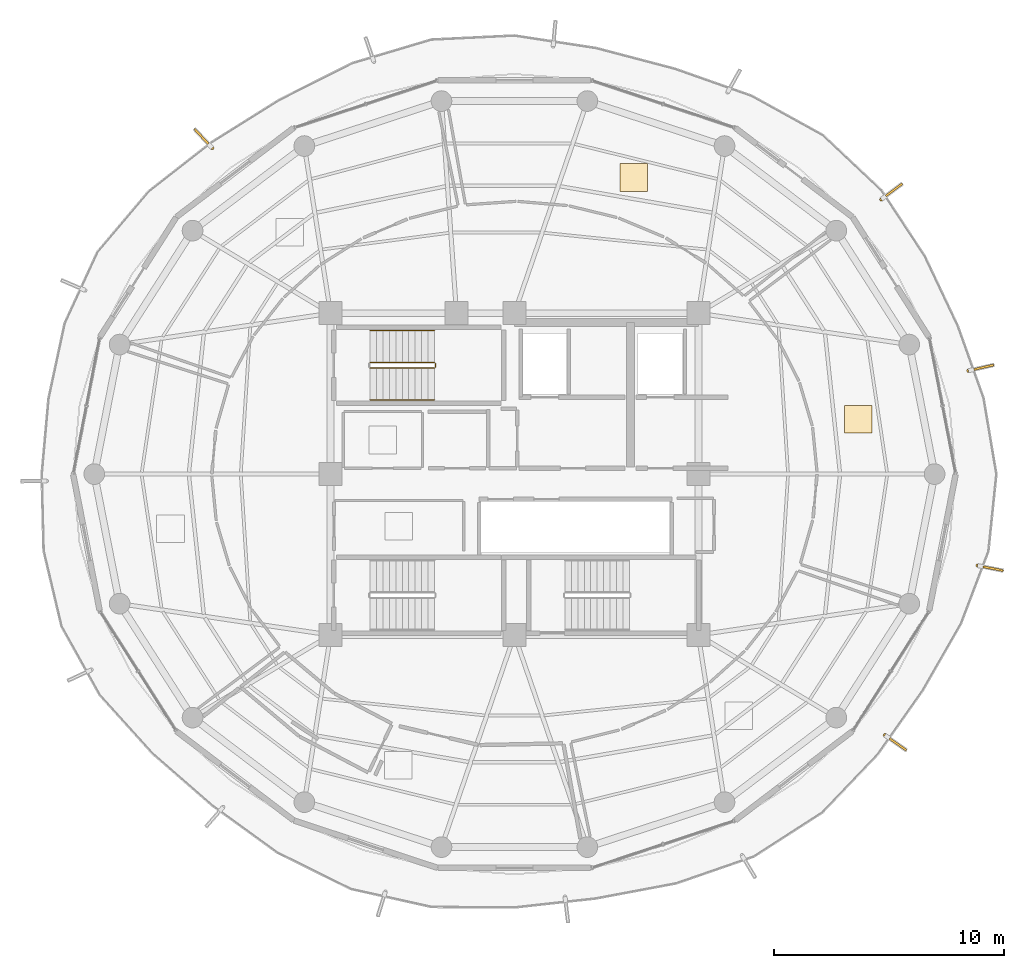
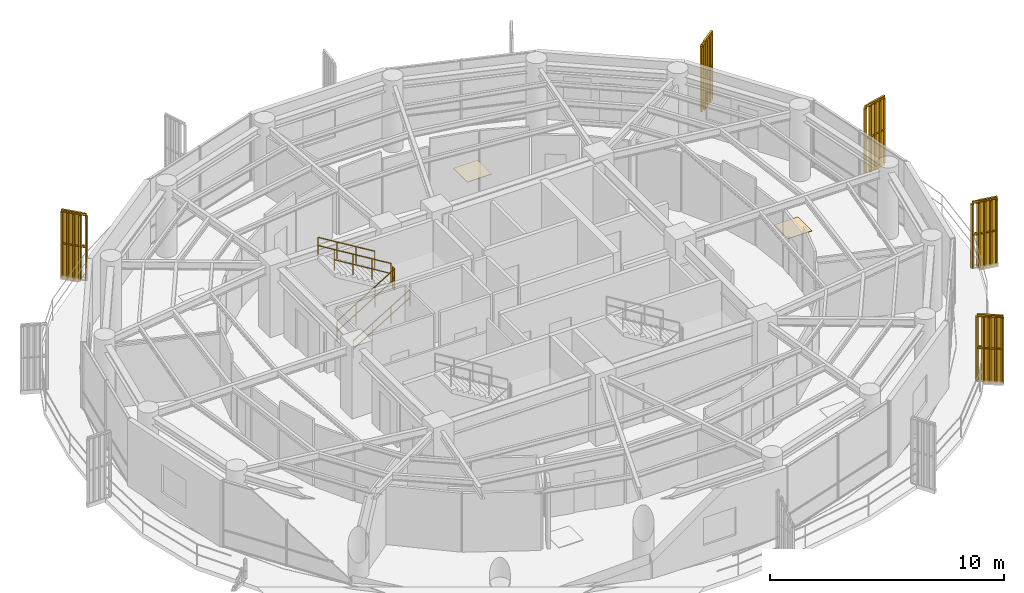
# One storey, part 22 of 23: 10 railings, 5 shading devices, 2 coverings.
"""IFC4 building model written with IfcOpenShell, lengths in metres."""

from ifc_helpers import new_model, si_unit, direction, frame, origin, origin_2d, place, context, subcontext, project, spatial, polyline, rectangle, outline, extrude, source, transform, mapped, material, layer, layer_set, type_object, element, save


model = new_model("IFC4")

# Units and contexts
model_context = context("Model", 3, precision=1e-05, world=origin(), true_north=direction((0.0, 1.0)))
body_context = subcontext(model_context, "Body", "Model", "MODEL_VIEW")
ifc_project = project(units=[si_unit("LENGTHUNIT", "METRE"), si_unit("AREAUNIT", "SQUARE_METRE"), si_unit("VOLUMEUNIT", "CUBIC_METRE"), si_unit("PLANEANGLEUNIT", "RADIAN"), si_unit("MASSUNIT", "GRAM", prefix="KILO")], contexts=[model_context])

# Site, building, storey
site_placement = place(None, origin())
site = spatial("IfcSite", under=ifc_project, at=site_placement, CompositionType="ELEMENT")
building_placement = place(site_placement, origin())
building = spatial("IfcBuilding", under=site, at=building_placement, Name="Kelanora Arch Commons", CompositionType="ELEMENT")
storey_placement = place(building_placement, frame((0.0, 0.0, 282.449951171875)))
storey = spatial("IfcBuildingStorey", under=building, at=storey_placement, Name="L72", CompositionType="ELEMENT", Elevation=282.449951171875)

# Railings
ifc_material_1 = material(Name="Anodised bronze vertical shading fin rib assembly")
railing_type_1 = type_object("IfcRailingType", Name="RAIL-FIN-BRZ", PredefinedType="BALUSTRADE", material=ifc_material_1)
railing_1_placement = place(storey_placement, frame((94.14794921875, 54.02001953125, -0.02001953125)))
element("IfcRailing", 1, at=railing_1_placement, inside=storey, type_object=railing_type_1, Name="Sweeping Bronze Vertical Fin Blade L72-00", PredefinedType="BALUSTRADE", context=body_context, shape_type="SweptSolid", body=[
    extrude(outline(polyline([(0.06982421875, 0.0), (0.034912109375, 0.060546875), (-0.034912109375, 0.060546875), (-0.06982421875, 0.0), (-0.034912109375, -0.060546875), (0.034912109375, -0.060546875), (0.06982421875, 0.0)])), frame((0.0, 0.0, 3.419921875), z_axis=(0.981050560223, -0.193751898796, 0.0), x_axis=(0.193751898796, 0.981050560223, 0.0)), (0.0, 0.0, 1.0), 1.092529296875),
    extrude(outline(polyline([(0.06982421875, 0.0), (0.034912109375, 0.060546875), (-0.034912109375, 0.060546875), (-0.06982421875, 0.0), (-0.034912109375, -0.060546875), (0.034912109375, -0.060546875), (0.06982421875, 0.0)])), frame((0.0, 0.0, 1.7451171875), z_axis=(0.981050560223, -0.193751898796, 0.0), x_axis=(0.193751898796, 0.981050560223, 0.0)), (0.0, 0.0, 1.0), 1.092529296875),
    extrude(outline(polyline([(0.080078125, 0.0), (0.0400390625, 0.0693359375), (-0.0400390625, 0.0693359375), (-0.080078125, 0.0), (-0.0400390625, -0.0693359375), (0.0400390625, -0.0693359375), (0.080078125, 0.0)])), origin(), (0.0, 0.0, 1.0), 3.35009765625),
    extrude(outline(polyline([(0.080078125, 0.0), (0.0400390625, 0.0693359375), (-0.0400390625, 0.0693359375), (-0.080078125, 0.0), (-0.0400390625, -0.0693359375), (0.0400390625, -0.0693359375), (0.080078125, 0.0)])), frame((0.26806640625, -0.052978515625, 0.0)), (0.0, 0.0, 1.0), 3.35009765625),
    extrude(outline(polyline([(0.080078125, 0.0), (0.0400390625, 0.0693359375), (-0.0400390625, 0.0693359375), (-0.080078125, 0.0), (-0.0400390625, -0.0693359375), (0.0400390625, -0.0693359375), (0.080078125, 0.0)])), frame((0.535888671875, -0.10595703125, 0.0)), (0.0, 0.0, 1.0), 3.35009765625),
    extrude(outline(polyline([(0.080078125, 0.0), (0.0400390625, 0.0693359375), (-0.0400390625, 0.0693359375), (-0.080078125, 0.0), (-0.0400390625, -0.0693359375), (0.0400390625, -0.0693359375), (0.080078125, 0.0)])), frame((0.8037109375, -0.15869140625, 0.0)), (0.0, 0.0, 1.0), 3.35009765625),
    extrude(outline(polyline([(0.080078125, 0.0), (0.0400390625, 0.0693359375), (-0.0400390625, 0.0693359375), (-0.080078125, 0.0), (-0.0400390625, -0.0693359375), (0.0400390625, -0.0693359375), (0.080078125, 0.0)])), frame((1.07177734375, -0.211669921875, 0.0)), (0.0, 0.0, 1.0), 3.35009765625),
])
railing_2_placement = place(storey_placement, frame((93.750244140625, 62.49658203125, -0.02001953125)))
element("IfcRailing", 2, at=railing_2_placement, inside=storey, type_object=railing_type_1, Name="Sweeping Bronze Vertical Fin Blade L72-01", PredefinedType="BALUSTRADE", context=body_context, shape_type="SweptSolid", body=[
    extrude(outline(polyline([(0.06982421875, 0.0), (0.034912109375, 0.060546875), (-0.034912109375, 0.060546875), (-0.06982421875, 0.0), (-0.034912109375, -0.060546875), (0.034912109375, -0.060546875), (0.06982421875, 0.0)])), frame((0.0, 0.0, 3.419921875), z_axis=(0.975064754482, 0.221920536603, 0.0), x_axis=(-0.221920536603, 0.975064754482, 0.0)), (0.0, 0.0, 1.0), 1.092529296875),
    extrude(outline(polyline([(0.06982421875, 0.0), (0.034912109375, 0.060546875), (-0.034912109375, 0.060546875), (-0.06982421875, 0.0), (-0.034912109375, -0.060546875), (0.034912109375, -0.060546875), (0.06982421875, 0.0)])), frame((0.0, 0.0, 1.7451171875), z_axis=(0.975064754482, 0.221920536603, 0.0), x_axis=(-0.221920536603, 0.975064754482, 0.0)), (0.0, 0.0, 1.0), 1.092529296875),
    extrude(outline(polyline([(0.080078125, 0.0), (0.0400390625, 0.0693359375), (-0.0400390625, 0.0693359375), (-0.080078125, 0.0), (-0.0400390625, -0.0693359375), (0.0400390625, -0.0693359375), (0.080078125, 0.0)])), origin(), (0.0, 0.0, 1.0), 3.35009765625),
    extrude(outline(polyline([(0.080078125, 0.0), (0.0400390625, 0.0693359375), (-0.0400390625, 0.0693359375), (-0.080078125, 0.0), (-0.0400390625, -0.0693359375), (0.0400390625, -0.0693359375), (0.080078125, 0.0)])), frame((0.266357421875, 0.060546875, 0.0)), (0.0, 0.0, 1.0), 3.35009765625),
    extrude(outline(polyline([(0.080078125, 0.0), (0.0400390625, 0.0693359375), (-0.0400390625, 0.0693359375), (-0.080078125, 0.0), (-0.0400390625, -0.0693359375), (0.0400390625, -0.0693359375), (0.080078125, 0.0)])), frame((0.53271484375, 0.12109375, 0.0)), (0.0, 0.0, 1.0), 3.35009765625),
    extrude(outline(polyline([(0.080078125, 0.0), (0.0400390625, 0.0693359375), (-0.0400390625, 0.0693359375), (-0.080078125, 0.0), (-0.0400390625, -0.0693359375), (0.0400390625, -0.0693359375), (0.080078125, 0.0)])), frame((0.798828125, 0.181884765625, 0.0)), (0.0, 0.0, 1.0), 3.35009765625),
    extrude(outline(polyline([(0.080078125, 0.0), (0.0400390625, 0.0693359375), (-0.0400390625, 0.0693359375), (-0.080078125, 0.0), (-0.0400390625, -0.0693359375), (0.0400390625, -0.0693359375), (0.080078125, 0.0)])), frame((1.065185546875, 0.242431640625, 0.0)), (0.0, 0.0, 1.0), 3.35009765625),
])
railing_3_placement = place(storey_placement, frame((89.961669921875, 69.9521484375, -0.02001953125)))
element("IfcRailing", 3, at=railing_3_placement, inside=storey, type_object=railing_type_1, Name="Sweeping Bronze Vertical Fin Blade L72-02", PredefinedType="BALUSTRADE", context=body_context, shape_type="SweptSolid", body=[
    extrude(outline(polyline([(0.06982421875, 0.0), (0.034912109375, 0.060546875), (-0.034912109375, 0.060546875), (-0.06982421875, 0.0), (-0.034912109375, -0.060546875), (0.034912109375, -0.060546875), (0.06982421875, 0.0)])), frame((0.0, 0.0, 3.419921875), z_axis=(0.80048244409, 0.599356201856, 0.0), x_axis=(-0.599356201856, 0.80048244409, 0.0)), (0.0, 0.0, 1.0), 1.092529296875),
    extrude(outline(polyline([(0.06982421875, 0.0), (0.034912109375, 0.060546875), (-0.034912109375, 0.060546875), (-0.06982421875, 0.0), (-0.034912109375, -0.060546875), (0.034912109375, -0.060546875), (0.06982421875, 0.0)])), frame((0.0, 0.0, 1.7451171875), z_axis=(0.80048244409, 0.599356201856, 0.0), x_axis=(-0.599356201856, 0.80048244409, 0.0)), (0.0, 0.0, 1.0), 1.092529296875),
    extrude(outline(polyline([(0.080078125, 0.0), (0.0400390625, 0.0693359375), (-0.0400390625, 0.0693359375), (-0.080078125, 0.0), (-0.0400390625, -0.0693359375), (0.0400390625, -0.0693359375), (0.080078125, 0.0)])), origin(), (0.0, 0.0, 1.0), 3.35009765625),
    extrude(outline(polyline([(0.080078125, 0.0), (0.0400390625, 0.0693359375), (-0.0400390625, 0.0693359375), (-0.080078125, 0.0), (-0.0400390625, -0.0693359375), (0.0400390625, -0.0693359375), (0.080078125, 0.0)])), frame((0.21875, 0.16357421875, 0.0)), (0.0, 0.0, 1.0), 3.35009765625),
    extrude(outline(polyline([(0.080078125, 0.0), (0.0400390625, 0.0693359375), (-0.0400390625, 0.0693359375), (-0.080078125, 0.0), (-0.0400390625, -0.0693359375), (0.0400390625, -0.0693359375), (0.080078125, 0.0)])), frame((0.437255859375, 0.327392578125, 0.0)), (0.0, 0.0, 1.0), 3.35009765625),
    extrude(outline(polyline([(0.080078125, 0.0), (0.0400390625, 0.0693359375), (-0.0400390625, 0.0693359375), (-0.080078125, 0.0), (-0.0400390625, -0.0693359375), (0.0400390625, -0.0693359375), (0.080078125, 0.0)])), frame((0.65576171875, 0.4912109375, 0.0)), (0.0, 0.0, 1.0), 3.35009765625),
    extrude(outline(polyline([(0.080078125, 0.0), (0.0400390625, 0.0693359375), (-0.0400390625, 0.0693359375), (-0.080078125, 0.0), (-0.0400390625, -0.0693359375), (0.0400390625, -0.0693359375), (0.080078125, 0.0)])), frame((0.87451171875, 0.65478515625, 0.0)), (0.0, 0.0, 1.0), 3.35009765625),
])
railing_4_placement = place(storey_placement, frame((60.853271484375, 72.184326171875, -0.02001953125)))
element("IfcRailing", 4, at=railing_4_placement, inside=storey, type_object=railing_type_1, Name="Sweeping Bronze Vertical Fin Blade L72-06", PredefinedType="BALUSTRADE", context=body_context, shape_type="SweptSolid", body=[
    extrude(outline(polyline([(0.06982421875, 0.0), (0.034912109375, 0.060546875), (-0.034912109375, 0.060546875), (-0.06982421875, 0.0), (-0.034912109375, -0.060546875), (0.034912109375, -0.060546875), (0.06982421875, 0.0)])), frame((0.0, 0.0, 3.419921875), z_axis=(-0.679782256174, 0.733413992361, 0.0), x_axis=(-0.733413992361, -0.679782256174, 0.0)), (0.0, 0.0, 1.0), 1.092529296875),
    extrude(outline(polyline([(0.06982421875, 0.0), (0.034912109375, 0.060546875), (-0.034912109375, 0.060546875), (-0.06982421875, 0.0), (-0.034912109375, -0.060546875), (0.034912109375, -0.060546875), (0.06982421875, 0.0)])), frame((0.0, 0.0, 1.7451171875), z_axis=(-0.679782256174, 0.733413992361, 0.0), x_axis=(-0.733413992361, -0.679782256174, 0.0)), (0.0, 0.0, 1.0), 1.092529296875),
    extrude(outline(polyline([(0.080078125, 0.0), (0.0400390625, 0.0693359375), (-0.0400390625, 0.0693359375), (-0.080078125, 0.0), (-0.0400390625, -0.0693359375), (0.0400390625, -0.0693359375), (0.080078125, 0.0)])), origin(), (0.0, 0.0, 1.0), 3.35009765625),
    extrude(outline(polyline([(0.080078125, 0.0), (0.0400390625, 0.0693359375), (-0.0400390625, 0.0693359375), (-0.080078125, 0.0), (-0.0400390625, -0.0693359375), (0.0400390625, -0.0693359375), (0.080078125, 0.0)])), frame((-0.185546875, 0.2001953125, 0.0)), (0.0, 0.0, 1.0), 3.35009765625),
    extrude(outline(polyline([(0.080078125, 0.0), (0.0400390625, 0.0693359375), (-0.0400390625, 0.0693359375), (-0.080078125, 0.0), (-0.0400390625, -0.0693359375), (0.0400390625, -0.0693359375), (0.080078125, 0.0)])), frame((-0.371337890625, 0.400634765625, 0.0)), (0.0, 0.0, 1.0), 3.35009765625),
    extrude(outline(polyline([(0.080078125, 0.0), (0.0400390625, 0.0693359375), (-0.0400390625, 0.0693359375), (-0.080078125, 0.0), (-0.0400390625, -0.0693359375), (0.0400390625, -0.0693359375), (0.080078125, 0.0)])), frame((-0.55712890625, 0.60107421875, 0.0)), (0.0, 0.0, 1.0), 3.35009765625),
    extrude(outline(polyline([(0.080078125, 0.0), (0.0400390625, 0.0693359375), (-0.0400390625, 0.0693359375), (-0.080078125, 0.0), (-0.0400390625, -0.0693359375), (0.0400390625, -0.0693359375), (0.080078125, 0.0)])), frame((-0.74267578125, 0.80126953125, 0.0)), (0.0, 0.0, 1.0), 3.35009765625),
])
railing_5_placement = place(storey_placement, frame((90.117431640625, 46.641357421875, -0.02001953125)))
element("IfcRailing", 5, at=railing_5_placement, inside=storey, type_object=railing_type_1, Name="Sweeping Bronze Vertical Fin Blade L72-14", PredefinedType="BALUSTRADE", context=body_context, shape_type="SweptSolid", body=[
    extrude(outline(polyline([(0.06982421875, 0.0), (0.034912109375, 0.060546875), (-0.034912109375, 0.060546875), (-0.06982421875, 0.0), (-0.034912109375, -0.060546875), (0.034912109375, -0.060546875), (0.06982421875, 0.0)])), frame((0.0, 0.0, 3.419921875), z_axis=(0.817401126278, -0.576068918411, 0.0), x_axis=(0.576068918411, 0.817401126278, 0.0)), (0.0, 0.0, 1.0), 1.092529296875),
    extrude(outline(polyline([(0.06982421875, 0.0), (0.034912109375, 0.060546875), (-0.034912109375, 0.060546875), (-0.06982421875, 0.0), (-0.034912109375, -0.060546875), (0.034912109375, -0.060546875), (0.06982421875, 0.0)])), frame((0.0, 0.0, 1.7451171875), z_axis=(0.817401126278, -0.576068918411, 0.0), x_axis=(0.576068918411, 0.817401126278, 0.0)), (0.0, 0.0, 1.0), 1.092529296875),
    extrude(outline(polyline([(0.080078125, 0.0), (0.0400390625, 0.0693359375), (-0.0400390625, 0.0693359375), (-0.080078125, 0.0), (-0.0400390625, -0.0693359375), (0.0400390625, -0.0693359375), (0.080078125, 0.0)])), origin(), (0.0, 0.0, 1.0), 3.35009765625),
    extrude(outline(polyline([(0.080078125, 0.0), (0.0400390625, 0.0693359375), (-0.0400390625, 0.0693359375), (-0.080078125, 0.0), (-0.0400390625, -0.0693359375), (0.0400390625, -0.0693359375), (0.080078125, 0.0)])), frame((0.22314453125, -0.1572265625, 0.0)), (0.0, 0.0, 1.0), 3.35009765625),
    extrude(outline(polyline([(0.080078125, 0.0), (0.0400390625, 0.0693359375), (-0.0400390625, 0.0693359375), (-0.080078125, 0.0), (-0.0400390625, -0.0693359375), (0.0400390625, -0.0693359375), (0.080078125, 0.0)])), frame((0.446533203125, -0.314697265625, 0.0)), (0.0, 0.0, 1.0), 3.35009765625),
    extrude(outline(polyline([(0.080078125, 0.0), (0.0400390625, 0.0693359375), (-0.0400390625, 0.0693359375), (-0.080078125, 0.0), (-0.0400390625, -0.0693359375), (0.0400390625, -0.0693359375), (0.080078125, 0.0)])), frame((0.669921875, -0.47216796875, 0.0)), (0.0, 0.0, 1.0), 3.35009765625),
    extrude(outline(polyline([(0.080078125, 0.0), (0.0400390625, 0.0693359375), (-0.0400390625, 0.0693359375), (-0.080078125, 0.0), (-0.0400390625, -0.0693359375), (0.0400390625, -0.0693359375), (0.080078125, 0.0)])), frame((0.89306640625, -0.62939453125, 0.0)), (0.0, 0.0, 1.0), 3.35009765625),
])
ifc_material_2 = material(Name="Painted steel stair well guard", Category="steel")
railing_type_2 = type_object("IfcRailingType", Name="RAIL-STAIR-GRD", PredefinedType="GUARDRAIL", material=ifc_material_2)
railing_6_placement = place(storey_placement, frame((67.719970703125, 62.610107421875, 0.17041015625)))
element("IfcRailing", 6, at=railing_6_placement, inside=storey, type_object=railing_type_2, Name="L72 ST-T1 stair guard 1", PredefinedType="GUARDRAIL", context=body_context, shape_type="SweptSolid", body=[
    extrude(outline(polyline([(0.02392578125, 0.0), (0.011962890625, 0.020751953125), (-0.011962890625, 0.020751953125), (-0.02392578125, 0.0), (-0.011962890625, -0.020751953125), (0.011962890625, -0.020751953125), (0.02392578125, 0.0)])), frame((0.0, 0.0, 1.076171875), z_axis=(0.854169791009, 0.0, 0.51999420009), x_axis=(0.0, 1.0, 0.0)), (0.0, 0.0, 1.0), 3.278076171875),
    extrude(outline(polyline([(0.02392578125, 0.0), (0.011962890625, 0.020751953125), (-0.011962890625, 0.020751953125), (-0.02392578125, 0.0), (-0.011962890625, -0.020751953125), (0.011962890625, -0.020751953125), (0.02392578125, 0.0)])), frame((0.0, 0.0, 0.550048828125), z_axis=(0.854169791009, 0.0, 0.51999420009), x_axis=(0.0, 1.0, 0.0)), (0.0, 0.0, 1.0), 3.278076171875),
    extrude(outline(polyline([(0.02099609375, 0.0), (0.010498046875, 0.01806640625), (-0.010498046875, 0.01806640625), (-0.02099609375, 0.0), (-0.010498046875, -0.01806640625), (0.010498046875, -0.01806640625), (0.02099609375, 0.0)])), origin(), (0.0, 0.0, 1.0), 1.052001953125),
    extrude(outline(polyline([(0.02099609375, 0.0), (0.010498046875, 0.01806640625), (-0.010498046875, 0.01806640625), (-0.02099609375, 0.0), (-0.010498046875, -0.01806640625), (0.010498046875, -0.01806640625), (0.02099609375, 0.0)])), frame((0.933349609375, 0.0, 0.568115234375)), (0.0, 0.0, 1.0), 1.052001953125),
    extrude(outline(polyline([(0.02099609375, 0.0), (0.010498046875, 0.01806640625), (-0.010498046875, 0.01806640625), (-0.02099609375, 0.0), (-0.010498046875, -0.01806640625), (0.010498046875, -0.01806640625), (0.02099609375, 0.0)])), frame((1.86669921875, 0.0, 1.136474609375)), (0.0, 0.0, 1.0), 1.052001953125),
    extrude(outline(polyline([(0.02099609375, 0.0), (0.010498046875, 0.01806640625), (-0.010498046875, 0.01806640625), (-0.02099609375, 0.0), (-0.010498046875, -0.01806640625), (0.010498046875, -0.01806640625), (0.02099609375, 0.0)])), frame((2.800048828125, 0.0, 1.70458984375)), (0.0, 0.0, 1.0), 1.052001953125),
])
railing_7_placement = place(storey_placement, frame((70.570068359375, 62.659912109375, 1.875)))
element("IfcRailing", 7, at=railing_7_placement, inside=storey, type_object=railing_type_2, Name="L72 ST-T1 stair guard 2", PredefinedType="GUARDRAIL", context=body_context, shape_type="SweptSolid", body=[
    extrude(outline(polyline([(0.02392578125, 0.0), (0.011962890625, 0.020751953125), (-0.011962890625, 0.020751953125), (-0.02392578125, 0.0), (-0.011962890625, -0.020751953125), (0.011962890625, -0.020751953125), (0.02392578125, 0.0)])), frame((0.0, 0.0, 1.076171875), z_axis=(0.0, 1.0, 0.0), x_axis=(-1.0, 0.0, 0.0)), (0.0, 0.0, 1.0), 0.150146484375),
    extrude(outline(polyline([(0.02392578125, 0.0), (0.011962890625, 0.020751953125), (-0.011962890625, 0.020751953125), (-0.02392578125, 0.0), (-0.011962890625, -0.020751953125), (0.011962890625, -0.020751953125), (0.02392578125, 0.0)])), frame((0.0, 0.0, 0.550048828125), z_axis=(0.0, 1.0, 0.0), x_axis=(-1.0, 0.0, 0.0)), (0.0, 0.0, 1.0), 0.150146484375),
    extrude(outline(polyline([(0.02099609375, 0.0), (0.010498046875, 0.01806640625), (-0.010498046875, 0.01806640625), (-0.02099609375, 0.0), (-0.010498046875, -0.01806640625), (0.010498046875, -0.01806640625), (0.02099609375, 0.0)])), origin(), (0.0, 0.0, 1.0), 1.052001953125),
    extrude(outline(polyline([(0.02099609375, 0.0), (0.010498046875, 0.01806640625), (-0.010498046875, 0.01806640625), (-0.02099609375, 0.0), (-0.010498046875, -0.01806640625), (0.010498046875, -0.01806640625), (0.02099609375, 0.0)])), frame((0.0, 0.150146484375, 0.0)), (0.0, 0.0, 1.0), 1.052001953125),
])
railing_8_placement = place(storey_placement, frame((70.52001953125, 62.860107421875, 2.04541015625)))
element("IfcRailing", 8, at=railing_8_placement, inside=storey, type_object=railing_type_2, Name="L72 ST-T1 stair guard 3", PredefinedType="GUARDRAIL", context=body_context, shape_type="SweptSolid", body=[
    extrude(outline(polyline([(0.02392578125, 0.0), (0.011962890625, 0.020751953125), (-0.011962890625, 0.020751953125), (-0.02392578125, 0.0), (-0.011962890625, -0.020751953125), (0.011962890625, -0.020751953125), (0.02392578125, 0.0)])), frame((0.0, 0.0, 1.076171875), z_axis=(-0.854169791009, 0.0, 0.51999420009), x_axis=(0.0, -1.0, 0.0)), (0.0, 0.0, 1.0), 3.278076171875),
    extrude(outline(polyline([(0.02392578125, 0.0), (0.011962890625, 0.020751953125), (-0.011962890625, 0.020751953125), (-0.02392578125, 0.0), (-0.011962890625, -0.020751953125), (0.011962890625, -0.020751953125), (0.02392578125, 0.0)])), frame((0.0, 0.0, 0.550048828125), z_axis=(-0.854169791009, 0.0, 0.51999420009), x_axis=(0.0, -1.0, 0.0)), (0.0, 0.0, 1.0), 3.278076171875),
    extrude(outline(polyline([(0.02099609375, 0.0), (0.010498046875, 0.01806640625), (-0.010498046875, 0.01806640625), (-0.02099609375, 0.0), (-0.010498046875, -0.01806640625), (0.010498046875, -0.01806640625), (0.02099609375, 0.0)])), origin(), (0.0, 0.0, 1.0), 1.052001953125),
    extrude(outline(polyline([(0.02099609375, 0.0), (0.010498046875, 0.01806640625), (-0.010498046875, 0.01806640625), (-0.02099609375, 0.0), (-0.010498046875, -0.01806640625), (0.010498046875, -0.01806640625), (0.02099609375, 0.0)])), frame((-0.933349609375, 0.0, 0.568115234375)), (0.0, 0.0, 1.0), 1.052001953125),
    extrude(outline(polyline([(0.02099609375, 0.0), (0.010498046875, 0.01806640625), (-0.010498046875, 0.01806640625), (-0.02099609375, 0.0), (-0.010498046875, -0.01806640625), (0.010498046875, -0.01806640625), (0.02099609375, 0.0)])), frame((-1.86669921875, 0.0, 1.136474609375)), (0.0, 0.0, 1.0), 1.052001953125),
    extrude(outline(polyline([(0.02099609375, 0.0), (0.010498046875, 0.01806640625), (-0.010498046875, 0.01806640625), (-0.02099609375, 0.0), (-0.010498046875, -0.01806640625), (0.010498046875, -0.01806640625), (0.02099609375, 0.0)])), frame((-2.800048828125, 0.0, 1.70458984375)), (0.0, 0.0, 1.0), 1.052001953125),
])
ifc_material_3 = material(Name="Brushed stainless steel stair handrail", Category="steel")
railing_type_3 = type_object("IfcRailingType", Name="RAIL-STAIR-HND", PredefinedType="HANDRAIL", material=ifc_material_3)
railing_9_placement = place(storey_placement, frame((67.719970703125, 61.22998046875, 0.17041015625)))
element("IfcRailing", 9, at=railing_9_placement, inside=storey, type_object=railing_type_3, Name="L72 ST-T1 stair handrail 1", PredefinedType="HANDRAIL", context=body_context, shape_type="SweptSolid", body=[
    extrude(outline(polyline([(0.02392578125, 0.0), (0.011962890625, 0.020751953125), (-0.011962890625, 0.020751953125), (-0.02392578125, 0.0), (-0.011962890625, -0.020751953125), (0.011962890625, -0.020751953125), (0.02392578125, 0.0)])), frame((0.0, 0.0, 0.8759765625), z_axis=(0.854169791009, 0.0, 0.51999420009), x_axis=(0.0, 1.0, 0.0)), (0.0, 0.0, 1.0), 3.278076171875),
    extrude(outline(polyline([(0.02392578125, 0.0), (0.011962890625, 0.020751953125), (-0.011962890625, 0.020751953125), (-0.02392578125, 0.0), (-0.011962890625, -0.020751953125), (0.011962890625, -0.020751953125), (0.02392578125, 0.0)])), frame((0.0, 0.0, 0.449951171875), z_axis=(0.854169791009, 0.0, 0.51999420009), x_axis=(0.0, 1.0, 0.0)), (0.0, 0.0, 1.0), 3.278076171875),
    extrude(outline(polyline([(0.02099609375, 0.0), (0.010498046875, 0.01806640625), (-0.010498046875, 0.01806640625), (-0.02099609375, 0.0), (-0.010498046875, -0.01806640625), (0.010498046875, -0.01806640625), (0.02099609375, 0.0)])), origin(), (0.0, 0.0, 1.0), 0.851806640625),
    extrude(outline(polyline([(0.02099609375, 0.0), (0.010498046875, 0.01806640625), (-0.010498046875, 0.01806640625), (-0.02099609375, 0.0), (-0.010498046875, -0.01806640625), (0.010498046875, -0.01806640625), (0.02099609375, 0.0)])), frame((0.933349609375, 0.0, 0.568115234375)), (0.0, 0.0, 1.0), 0.851806640625),
    extrude(outline(polyline([(0.02099609375, 0.0), (0.010498046875, 0.01806640625), (-0.010498046875, 0.01806640625), (-0.02099609375, 0.0), (-0.010498046875, -0.01806640625), (0.010498046875, -0.01806640625), (0.02099609375, 0.0)])), frame((1.86669921875, 0.0, 1.136474609375)), (0.0, 0.0, 1.0), 0.851806640625),
    extrude(outline(polyline([(0.02099609375, 0.0), (0.010498046875, 0.01806640625), (-0.010498046875, 0.01806640625), (-0.02099609375, 0.0), (-0.010498046875, -0.01806640625), (0.010498046875, -0.01806640625), (0.02099609375, 0.0)])), frame((2.800048828125, 0.0, 1.70458984375)), (0.0, 0.0, 1.0), 0.851806640625),
])
railing_10_placement = place(storey_placement, frame((70.52001953125, 64.239990234375, 2.04541015625)))
element("IfcRailing", 10, at=railing_10_placement, inside=storey, type_object=railing_type_3, Name="L72 ST-T1 stair handrail 2", PredefinedType="HANDRAIL", context=body_context, shape_type="SweptSolid", body=[
    extrude(outline(polyline([(0.02392578125, 0.0), (0.011962890625, 0.020751953125), (-0.011962890625, 0.020751953125), (-0.02392578125, 0.0), (-0.011962890625, -0.020751953125), (0.011962890625, -0.020751953125), (0.02392578125, 0.0)])), frame((0.0, 0.0, 0.8759765625), z_axis=(-0.854169791009, 0.0, 0.51999420009), x_axis=(0.0, -1.0, 0.0)), (0.0, 0.0, 1.0), 3.278076171875),
    extrude(outline(polyline([(0.02392578125, 0.0), (0.011962890625, 0.020751953125), (-0.011962890625, 0.020751953125), (-0.02392578125, 0.0), (-0.011962890625, -0.020751953125), (0.011962890625, -0.020751953125), (0.02392578125, 0.0)])), frame((0.0, 0.0, 0.449951171875), z_axis=(-0.854169791009, 0.0, 0.51999420009), x_axis=(0.0, -1.0, 0.0)), (0.0, 0.0, 1.0), 3.278076171875),
    extrude(outline(polyline([(0.02099609375, 0.0), (0.010498046875, 0.01806640625), (-0.010498046875, 0.01806640625), (-0.02099609375, 0.0), (-0.010498046875, -0.01806640625), (0.010498046875, -0.01806640625), (0.02099609375, 0.0)])), origin(), (0.0, 0.0, 1.0), 0.851806640625),
    extrude(outline(polyline([(0.02099609375, 0.0), (0.010498046875, 0.01806640625), (-0.010498046875, 0.01806640625), (-0.02099609375, 0.0), (-0.010498046875, -0.01806640625), (0.010498046875, -0.01806640625), (0.02099609375, 0.0)])), frame((-0.933349609375, 0.0, 0.568115234375)), (0.0, 0.0, 1.0), 0.851806640625),
    extrude(outline(polyline([(0.02099609375, 0.0), (0.010498046875, 0.01806640625), (-0.010498046875, 0.01806640625), (-0.02099609375, 0.0), (-0.010498046875, -0.01806640625), (0.010498046875, -0.01806640625), (0.02099609375, 0.0)])), frame((-1.86669921875, 0.0, 1.136474609375)), (0.0, 0.0, 1.0), 0.851806640625),
    extrude(outline(polyline([(0.02099609375, 0.0), (0.010498046875, 0.01806640625), (-0.010498046875, 0.01806640625), (-0.02099609375, 0.0), (-0.010498046875, -0.01806640625), (0.010498046875, -0.01806640625), (0.02099609375, 0.0)])), frame((-2.800048828125, 0.0, 1.70458984375)), (0.0, 0.0, 1.0), 0.851806640625),
])

# Shading devices
ifc_material_4 = material(Name="Terracotta ceramic-clad extruded aluminium fin", Category="masonry")
shading_device_type = type_object("IfcShadingDeviceType", Name="SHD-FIN-FLARE", PredefinedType="USERDEFINED", material=ifc_material_4)
shared_shape_1 = source(origin(), body_context, "Body", "SweptSolid", [
    extrude(rectangle(XDim=0.8798828125, YDim=0.090087890625, at=origin_2d()), origin(), (0.0, 0.0, 1.0), 3.610107421875),
])
for number, where, z_axis, x_axis, name in (
    (11, (94.8212890625, 53.88720703125, -0.14013671875), (0.0, 0.0, 1.0), (0.981056721746, -0.1937206977, 0.0), "Sweeping Terracotta Fin L72-00"),
    (12, (94.41943359375, 62.64892578125, -0.14013671875), (0.0, 0.0, 1.0), (0.975033218117, 0.222059054235, 0.0), "Sweeping Terracotta Fin L72-01"),
    (13, (90.510986328125, 70.363525390625, -0.14013671875), (0.0, 0.0, 1.0), (0.800417613178, 0.599442778349, 0.0), "Sweeping Terracotta Fin L72-02"),
    (14, (60.38671875, 72.687744140625, -0.14013671875), (0.0, 0.0, 1.0), (-0.679825391166, 0.733374009306, 0.0), "Sweeping Terracotta Fin L72-06"),
    (15, (90.678466796875, 46.24609375, -0.14013671875), (0.0, 0.0, 1.0), (0.817446605564, -0.576004381105, 0.0), "Sweeping Terracotta Fin L72-14"),
):
    element("IfcShadingDevice", number, at=place(storey_placement, frame(where, z_axis=z_axis, x_axis=x_axis)), inside=storey, type_object=shading_device_type, Name=name, ObjectType="FIN", PredefinedType="USERDEFINED", context=body_context, shape_type="MappedRepresentation", body=[
        mapped(shared_shape_1, transform((0.0, 0.0, 0.0), scale=1.0)),
    ])

# Coverings
ifc_material_5 = material(Name="Polished local granite terrazzo flooring", Category="masonry")
ifc_layer = layer(ifc_material_5, 0.030029296875)
ifc_layer_set = layer_set([ifc_layer], Name="Polished local granite terrazzo flooring")
covering_type = type_object("IfcCoveringType", Name="COV-FLR-TER", PredefinedType="FLOORING", material=ifc_layer_set)
shared_shape_2 = source(origin(), body_context, "Body", "SweptSolid", [
    extrude(rectangle(XDim=1.199951171875, YDim=1.199951171875, at=origin_2d()), origin(), (0.0, 0.0, 1.0), 0.030029296875),
])
for number, where, z_axis, x_axis, name in (
    (16, (88.96337890625, 60.384521484375, 0.0), (0.0, 0.0, 1.0), (1.0, 0.0, 0.0), "Communal Dining and Social Hall L72-05 Terrazzo Finish"),
    (17, (79.19677734375, 70.904541015625, 0.0), (0.0, 0.0, 1.0), (1.0, 0.0, 0.0), "Social Sky Lounge L72-06 Terrazzo Finish"),
):
    element("IfcCovering", number, at=place(storey_placement, frame(where, z_axis=z_axis, x_axis=x_axis)), inside=storey, type_object=covering_type, Name=name, PredefinedType="FLOORING", context=body_context, shape_type="MappedRepresentation", body=[
        mapped(shared_shape_2, transform((0.0, 0.0, 0.0), scale=1.0)),
    ])

save(model, "model.ifc")
